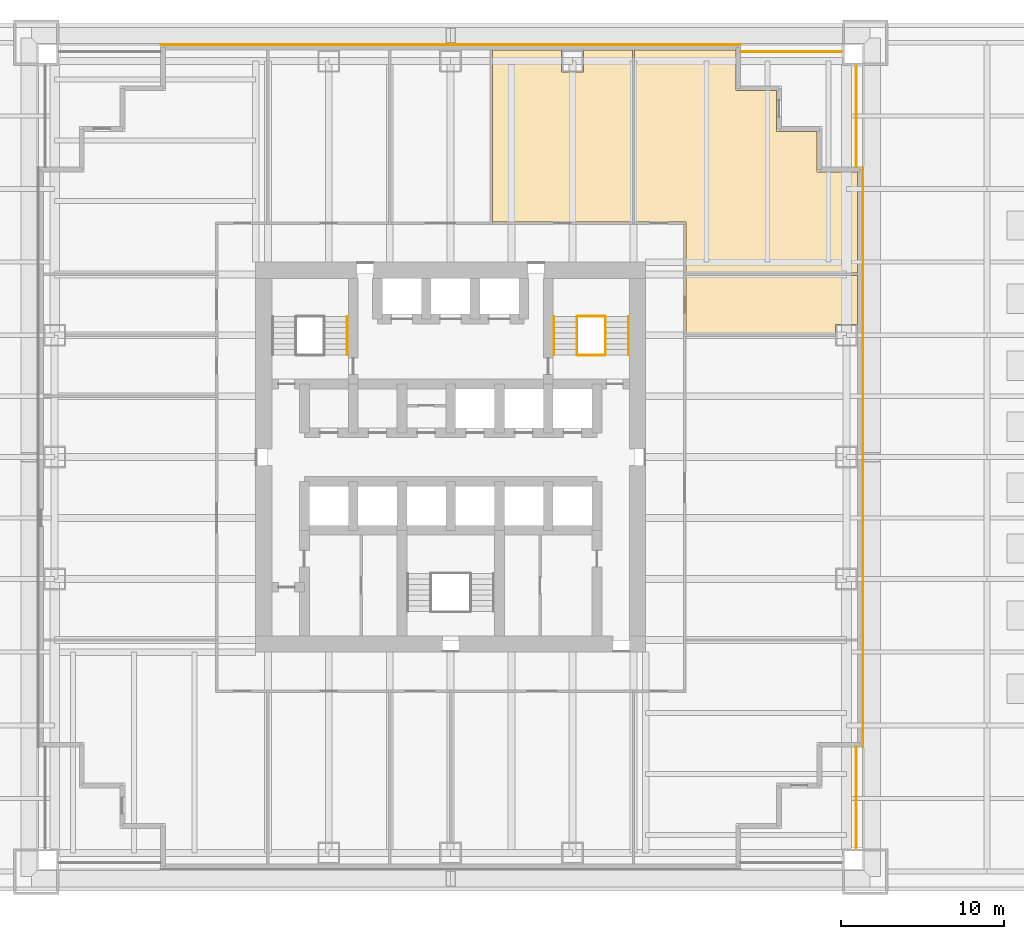
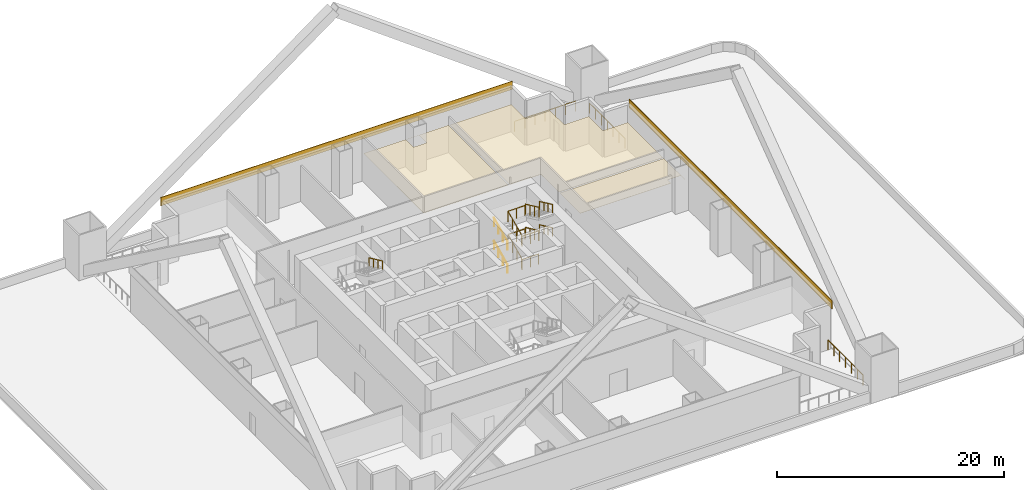
# One storey, part 10 of 10: 16 railings, 5 coverings.
"""IFC4 building model written with IfcOpenShell, lengths in metres."""

from ifc_helpers import new_model, si_unit, direction, frame, origin, origin_2d, place, context, subcontext, project, spatial, polyline, rectangle, circle, outline, extrude, material, layer, layer_set, type_object, element, save


model = new_model("IFC4")

# Units and contexts
model_context = context("Model", 3, precision=1e-05, world=origin(), true_north=direction((0.0, 1.0)))
body_context = subcontext(model_context, "Body", "Model", "MODEL_VIEW")
ifc_project = project(units=[si_unit("LENGTHUNIT", "METRE"), si_unit("AREAUNIT", "SQUARE_METRE"), si_unit("VOLUMEUNIT", "CUBIC_METRE"), si_unit("PLANEANGLEUNIT", "RADIAN"), si_unit("MASSUNIT", "GRAM", prefix="KILO")], contexts=[model_context])

# Site, building, storey
site_placement = place(None, origin())
site = spatial("IfcSite", under=ifc_project, at=site_placement, CompositionType="ELEMENT")
building_placement = place(site_placement, origin())
building = spatial("IfcBuilding", under=site, at=building_placement, Name="Tarangal Relay Tower", CompositionType="ELEMENT")
storey_placement = place(building_placement, frame((0.0, 0.0, 23.39990234375)))
storey = spatial("IfcBuildingStorey", under=building, at=storey_placement, Name="L04", CompositionType="ELEMENT", Elevation=23.39990234375)

# Coverings
ifc_material_1 = material(Name="Black anodised aluminium cladding", Category="aluminium")
ifc_layer_1 = layer(ifc_material_1, 0.050048828125)
ifc_layer_set_1 = layer_set([ifc_layer_1], Name="Black metal spandrel band")
covering_type_1 = type_object("IfcCoveringType", Name="Black metal spandrel band", PredefinedType="CLADDING", material=ifc_layer_set_1)
for number, where, z_axis, x_axis, name in (
    (1, (0.0, 25.375, 4.250244140625), (0.0, 0.0, 1.0), (1.0, 0.0, 0.0), "Spandrel band SB1 N L04"),
    (2, (25.375, 0.0, 4.250244140625), (0.0, 0.0, 1.0), (0.0, -1.0, 0.0), "Spandrel band SB1 E L04"),
):
    element("IfcCovering", number, at=place(storey_placement, frame(where, z_axis=z_axis, x_axis=x_axis)), inside=storey, type_object=covering_type_1, Name=name, PredefinedType="CLADDING", context=body_context, shape_type="SweptSolid", body=[
        extrude(rectangle(XDim=35.699951171875, YDim=0.050048828125, at=origin_2d()), origin(), (0.0, 0.0, 1.0), 0.89990234375),
    ])

# Railings
ifc_material_2 = material(Name="Steel guard, black finish", Category="steel")
railing_type_1 = type_object("IfcRailingType", Name="Stair guard 1100", PredefinedType="GUARDRAIL", material=ifc_material_2)
railing_1_placement = place(storey_placement, frame((7.77001953125, 6.300048828125, 0.15625)))
element("IfcRailing", 3, at=railing_1_placement, inside=storey, type_object=railing_type_1, Name="Stair ST-B guard GR1 L04 flight 1", PredefinedType="GUARDRAIL", context=body_context, shape_type="SweptSolid", body=[
    extrude(circle(Radius=0.02392578125, at=origin_2d()), frame((0.0, 0.0, 1.076171875), z_axis=(0.0, 0.90626748934, 0.422704669676), x_axis=(-1.0, 0.0, 0.0)), (0.0, 0.0, 1.0), 2.58740234375),
    extrude(circle(Radius=0.02099609375, at=origin_2d()), origin(), (0.0, 0.0, 1.0), 1.052001953125),
    extrude(circle(Radius=0.02099609375, at=origin_2d()), frame((0.0, 0.78173828125, 0.364501953125)), (0.0, 0.0, 1.0), 1.052001953125),
    extrude(circle(Radius=0.02099609375, at=origin_2d()), frame((0.0, 1.563232421875, 0.729248046875)), (0.0, 0.0, 1.0), 1.052001953125),
    extrude(circle(Radius=0.02099609375, at=origin_2d()), frame((0.0, 2.344970703125, 1.09375)), (0.0, 0.0, 1.0), 1.052001953125),
])
railing_2_placement = place(storey_placement, frame((9.530029296875, 8.64501953125, 1.40625)))
element("IfcRailing", 4, at=railing_2_placement, inside=storey, type_object=railing_type_1, Name="Stair ST-B guard GR1 L04 flight 2", PredefinedType="GUARDRAIL", context=body_context, shape_type="SweptSolid", body=[
    extrude(circle(Radius=0.02392578125, at=origin_2d()), frame((0.0, 0.0, 1.076171875), z_axis=(0.0, -0.90626748934, 0.422704669676), x_axis=(1.0, 0.0, 0.0)), (0.0, 0.0, 1.0), 2.58740234375),
    extrude(circle(Radius=0.02099609375, at=origin_2d()), origin(), (0.0, 0.0, 1.0), 1.052001953125),
    extrude(circle(Radius=0.02099609375, at=origin_2d()), frame((0.0, -0.78173828125, 0.364501953125)), (0.0, 0.0, 1.0), 1.052001953125),
    extrude(circle(Radius=0.02099609375, at=origin_2d()), frame((0.0, -1.563232421875, 0.729248046875)), (0.0, 0.0, 1.0), 1.052001953125),
    extrude(circle(Radius=0.02099609375, at=origin_2d()), frame((0.0, -2.344970703125, 1.09375)), (0.0, 0.0, 1.0), 1.052001953125),
])
railing_3_placement = place(storey_placement, frame((7.77001953125, 6.300048828125, 2.65625)))
element("IfcRailing", 5, at=railing_3_placement, inside=storey, type_object=railing_type_1, Name="Stair ST-B guard GR1 L04 flight 3", PredefinedType="GUARDRAIL", context=body_context, shape_type="SweptSolid", body=[
    extrude(circle(Radius=0.02392578125, at=origin_2d()), frame((0.0, 0.0, 1.076171875), z_axis=(0.0, 0.90626748934, 0.422704669676), x_axis=(-1.0, 0.0, 0.0)), (0.0, 0.0, 1.0), 2.58740234375),
    extrude(circle(Radius=0.02099609375, at=origin_2d()), origin(), (0.0, 0.0, 1.0), 1.052001953125),
    extrude(circle(Radius=0.02099609375, at=origin_2d()), frame((0.0, 0.78173828125, 0.364501953125)), (0.0, 0.0, 1.0), 1.052001953125),
    extrude(circle(Radius=0.02099609375, at=origin_2d()), frame((0.0, 1.563232421875, 0.729248046875)), (0.0, 0.0, 1.0), 1.052001953125),
    extrude(circle(Radius=0.02099609375, at=origin_2d()), frame((0.0, 2.344970703125, 1.09375)), (0.0, 0.0, 1.0), 1.052001953125),
])
railing_4_placement = place(storey_placement, frame((9.530029296875, 8.64501953125, 3.90625)))
element("IfcRailing", 6, at=railing_4_placement, inside=storey, type_object=railing_type_1, Name="Stair ST-B guard GR1 L04 flight 4", PredefinedType="GUARDRAIL", context=body_context, shape_type="SweptSolid", body=[
    extrude(circle(Radius=0.02392578125, at=origin_2d()), frame((0.0, 0.0, 1.076171875), z_axis=(0.0, -0.90626748934, 0.422704669676), x_axis=(1.0, 0.0, 0.0)), (0.0, 0.0, 1.0), 2.58740234375),
    extrude(circle(Radius=0.02099609375, at=origin_2d()), origin(), (0.0, 0.0, 1.0), 1.052001953125),
    extrude(circle(Radius=0.02099609375, at=origin_2d()), frame((0.0, -0.78173828125, 0.364501953125)), (0.0, 0.0, 1.0), 1.052001953125),
    extrude(circle(Radius=0.02099609375, at=origin_2d()), frame((0.0, -1.563232421875, 0.729248046875)), (0.0, 0.0, 1.0), 1.052001953125),
    extrude(circle(Radius=0.02099609375, at=origin_2d()), frame((0.0, -2.344970703125, 1.09375)), (0.0, 0.0, 1.0), 1.052001953125),
])
for number, where, name in (
    (7, (7.800048828125, 6.27001953125, 0.0), "Stair ST-B landing guard GR1 L04"),
    (8, (7.800048828125, 8.675048828125, 1.25), "Stair ST-B landing guard GR1 L04"),
    (9, (7.800048828125, 6.27001953125, 2.5), "Stair ST-B landing guard GR1 L04"),
    (10, (7.800048828125, 8.675048828125, 3.75), "Stair ST-B landing guard GR1 L04"),
):
    element("IfcRailing", number, at=place(storey_placement, frame(where)), inside=storey, type_object=railing_type_1, Name=name, PredefinedType="GUARDRAIL", context=body_context, shape_type="SweptSolid", body=[
        extrude(circle(Radius=0.02392578125, at=origin_2d()), frame((0.0, 0.0, 1.076171875), z_axis=(1.0, 0.0, 0.0), x_axis=(0.0, 1.0, 0.0)), (0.0, 0.0, 1.0), 1.699951171875),
        extrude(circle(Radius=0.02099609375, at=origin_2d()), origin(), (0.0, 0.0, 1.0), 1.052001953125),
        extrude(circle(Radius=0.02099609375, at=origin_2d()), frame((0.85009765625, 0.0, 0.0)), (0.0, 0.0, 1.0), 1.052001953125),
        extrude(circle(Radius=0.02099609375, at=origin_2d()), frame((1.699951171875, 0.0, 0.0)), (0.0, 0.0, 1.0), 1.052001953125),
    ])
ifc_material_3 = material(Name="Steel handrail, black finish", Category="steel")
railing_type_2 = type_object("IfcRailingType", Name="Stair handrail 900", PredefinedType="HANDRAIL", material=ifc_material_3)
railing_5_placement = place(storey_placement, frame((-6.360107421875, 8.64501953125, 3.90625)))
element("IfcRailing", 11, at=railing_5_placement, inside=storey, type_object=railing_type_2, Name="Stair ST-A handrail HR1 L04 flight 4", PredefinedType="HANDRAIL", context=body_context, shape_type="SweptSolid", body=[
    extrude(circle(Radius=0.02392578125, at=origin_2d()), frame((0.0, 0.0, 0.8759765625), z_axis=(0.0, -0.90626748934, 0.422704669676), x_axis=(1.0, 0.0, 0.0)), (0.0, 0.0, 1.0), 2.58740234375),
    extrude(circle(Radius=0.02099609375, at=origin_2d()), origin(), (0.0, 0.0, 1.0), 0.851806640625),
    extrude(circle(Radius=0.02099609375, at=origin_2d()), frame((0.0, -0.78173828125, 0.364501953125)), (0.0, 0.0, 1.0), 0.851806640625),
    extrude(circle(Radius=0.02099609375, at=origin_2d()), frame((0.0, -1.563232421875, 0.729248046875)), (0.0, 0.0, 1.0), 0.851806640625),
    extrude(circle(Radius=0.02099609375, at=origin_2d()), frame((0.0, -2.344970703125, 1.09375)), (0.0, 0.0, 1.0), 0.851806640625),
])
railing_6_placement = place(storey_placement, frame((6.360107421875, 6.300048828125, 0.15625)))
element("IfcRailing", 12, at=railing_6_placement, inside=storey, type_object=railing_type_2, Name="Stair ST-B handrail HR1 L04 flight 1", PredefinedType="HANDRAIL", context=body_context, shape_type="SweptSolid", body=[
    extrude(circle(Radius=0.02392578125, at=origin_2d()), frame((0.0, 0.0, 0.8759765625), z_axis=(0.0, 0.90626748934, 0.422704669676), x_axis=(-1.0, 0.0, 0.0)), (0.0, 0.0, 1.0), 2.58740234375),
    extrude(circle(Radius=0.02099609375, at=origin_2d()), origin(), (0.0, 0.0, 1.0), 0.851806640625),
    extrude(circle(Radius=0.02099609375, at=origin_2d()), frame((0.0, 0.78173828125, 0.364501953125)), (0.0, 0.0, 1.0), 0.851806640625),
    extrude(circle(Radius=0.02099609375, at=origin_2d()), frame((0.0, 1.563232421875, 0.729248046875)), (0.0, 0.0, 1.0), 0.851806640625),
    extrude(circle(Radius=0.02099609375, at=origin_2d()), frame((0.0, 2.344970703125, 1.09375)), (0.0, 0.0, 1.0), 0.851806640625),
])
railing_7_placement = place(storey_placement, frame((10.93994140625, 8.64501953125, 1.40625)))
element("IfcRailing", 13, at=railing_7_placement, inside=storey, type_object=railing_type_2, Name="Stair ST-B handrail HR1 L04 flight 2", PredefinedType="HANDRAIL", context=body_context, shape_type="SweptSolid", body=[
    extrude(circle(Radius=0.02392578125, at=origin_2d()), frame((0.0, 0.0, 0.8759765625), z_axis=(0.0, -0.90626748934, 0.422704669676), x_axis=(1.0, 0.0, 0.0)), (0.0, 0.0, 1.0), 2.58740234375),
    extrude(circle(Radius=0.02099609375, at=origin_2d()), origin(), (0.0, 0.0, 1.0), 0.851806640625),
    extrude(circle(Radius=0.02099609375, at=origin_2d()), frame((0.0, -0.78173828125, 0.364501953125)), (0.0, 0.0, 1.0), 0.851806640625),
    extrude(circle(Radius=0.02099609375, at=origin_2d()), frame((0.0, -1.563232421875, 0.729248046875)), (0.0, 0.0, 1.0), 0.851806640625),
    extrude(circle(Radius=0.02099609375, at=origin_2d()), frame((0.0, -2.344970703125, 1.09375)), (0.0, 0.0, 1.0), 0.851806640625),
])
railing_8_placement = place(storey_placement, frame((6.360107421875, 6.300048828125, 2.65625)))
element("IfcRailing", 14, at=railing_8_placement, inside=storey, type_object=railing_type_2, Name="Stair ST-B handrail HR1 L04 flight 3", PredefinedType="HANDRAIL", context=body_context, shape_type="SweptSolid", body=[
    extrude(circle(Radius=0.02392578125, at=origin_2d()), frame((0.0, 0.0, 0.8759765625), z_axis=(0.0, 0.90626748934, 0.422704669676), x_axis=(-1.0, 0.0, 0.0)), (0.0, 0.0, 1.0), 2.58740234375),
    extrude(circle(Radius=0.02099609375, at=origin_2d()), origin(), (0.0, 0.0, 1.0), 0.851806640625),
    extrude(circle(Radius=0.02099609375, at=origin_2d()), frame((0.0, 0.78173828125, 0.364501953125)), (0.0, 0.0, 1.0), 0.851806640625),
    extrude(circle(Radius=0.02099609375, at=origin_2d()), frame((0.0, 1.563232421875, 0.729248046875)), (0.0, 0.0, 1.0), 0.851806640625),
    extrude(circle(Radius=0.02099609375, at=origin_2d()), frame((0.0, 2.344970703125, 1.09375)), (0.0, 0.0, 1.0), 0.851806640625),
])
railing_9_placement = place(storey_placement, frame((10.93994140625, 8.64501953125, 3.90625)))
element("IfcRailing", 15, at=railing_9_placement, inside=storey, type_object=railing_type_2, Name="Stair ST-B handrail HR1 L04 flight 4", PredefinedType="HANDRAIL", context=body_context, shape_type="SweptSolid", body=[
    extrude(circle(Radius=0.02392578125, at=origin_2d()), frame((0.0, 0.0, 0.8759765625), z_axis=(0.0, -0.90626748934, 0.422704669676), x_axis=(1.0, 0.0, 0.0)), (0.0, 0.0, 1.0), 2.58740234375),
    extrude(circle(Radius=0.02099609375, at=origin_2d()), origin(), (0.0, 0.0, 1.0), 0.851806640625),
    extrude(circle(Radius=0.02099609375, at=origin_2d()), frame((0.0, -0.78173828125, 0.364501953125)), (0.0, 0.0, 1.0), 0.851806640625),
    extrude(circle(Radius=0.02099609375, at=origin_2d()), frame((0.0, -1.563232421875, 0.729248046875)), (0.0, 0.0, 1.0), 0.851806640625),
    extrude(circle(Radius=0.02099609375, at=origin_2d()), frame((0.0, -2.344970703125, 1.09375)), (0.0, 0.0, 1.0), 0.851806640625),
])

# Coverings
ifc_material_4 = material(Name="Mineral fibre ceiling tiles", Category="gypsum")
ifc_layer_2 = layer(ifc_material_4, 0.02001953125)
ifc_layer_set_2 = layer_set([ifc_layer_2], Name="Suspended ceiling")
covering_type_2 = type_object("IfcCoveringType", Name="Suspended ceiling", PredefinedType="CEILING", material=ifc_layer_set_2)
covering_1_placement = place(storey_placement, frame((0.0, 0.0, 2.900146484375)))
element("IfcCovering", 16, at=covering_1_placement, inside=storey, type_object=covering_type_2, Name="Suspended ceiling CL1 L04-04", PredefinedType="CEILING", context=body_context, shape_type="SweptSolid", body=[
    extrude(outline(polyline([(11.175048828125, 25.050048828125), (2.574951171875, 25.050048828125), (2.574951171875, 14.47509765625), (11.175048828125, 14.47509765625), (11.175048828125, 25.050048828125)]), holes=[polyline([(8.175048828125, 25.0400390625), (6.824951171875, 25.0400390625), (6.824951171875, 23.68994140625), (8.175048828125, 23.68994140625), (8.175048828125, 25.0400390625)])]), origin(), (0.0, 0.0, 1.0), 0.02001953125),
])
covering_2_placement = place(storey_placement, frame((0.0, 0.0, 2.900146484375)))
element("IfcCovering", 17, at=covering_2_placement, inside=storey, type_object=covering_type_2, Name="Suspended ceiling CL1 L04-05", PredefinedType="CEILING", context=body_context, shape_type="SweptSolid", body=[
    extrude(outline(polyline([(25.050048828125, 7.5), (25.050048828125, 11.175048828125), (14.47509765625, 11.175048828125), (14.47509765625, 7.574951171875), (23.68994140625, 7.574951171875), (23.68994140625, 8.175048828125), (25.0400390625, 8.175048828125), (25.0400390625, 7.5), (25.050048828125, 7.5)])), origin(), (0.0, 0.0, 1.0), 0.02001953125),
])
covering_3_placement = place(storey_placement, frame((0.0, 0.0, 2.900146484375)))
element("IfcCovering", 18, at=covering_3_placement, inside=storey, type_object=covering_type_2, Name="Suspended ceiling CL1 L04-13", PredefinedType="CEILING", context=body_context, shape_type="SweptSolid", body=[
    extrude(outline(polyline([(17.550048828125, 25.050048828125), (11.324951171875, 25.050048828125), (11.324951171875, 14.47509765625), (14.47509765625, 14.47509765625), (14.47509765625, 11.324951171875), (25.050048828125, 11.324951171875), (25.050048828125, 17.550048828125), (22.550048828125, 17.550048828125), (22.550048828125, 20.050048828125), (20.050048828125, 20.050048828125), (20.050048828125, 22.550048828125), (17.550048828125, 22.550048828125), (17.550048828125, 25.050048828125)])), origin(), (0.0, 0.0, 1.0), 0.02001953125),
])

# Railings
ifc_material_5 = material(Name="Black steel guard with glass infill", Category="steel")
railing_type_3 = type_object("IfcRailingType", Name="Terrace guard 1100", PredefinedType="GUARDRAIL", material=ifc_material_5)
railing_10_placement = place(storey_placement, frame((17.85009765625, 24.949951171875, 0.0)))
element("IfcRailing", 19, at=railing_10_placement, inside=storey, type_object=railing_type_3, Name="Terrace guard GR2 NE L04", PredefinedType="GUARDRAIL", context=body_context, shape_type="SweptSolid", body=[
    extrude(circle(Radius=0.02392578125, at=origin_2d()), frame((0.0, 0.0, 1.076171875), z_axis=(1.0, 0.0, 0.0), x_axis=(0.0, 1.0, 0.0)), (0.0, 0.0, 1.0), 6.199951171875),
    extrude(circle(Radius=0.02099609375, at=origin_2d()), origin(), (0.0, 0.0, 1.0), 1.052001953125),
    extrude(circle(Radius=0.02099609375, at=origin_2d()), frame((1.033203125, 0.0, 0.0)), (0.0, 0.0, 1.0), 1.052001953125),
    extrude(circle(Radius=0.02099609375, at=origin_2d()), frame((2.066650390625, 0.0, 0.0)), (0.0, 0.0, 1.0), 1.052001953125),
    extrude(circle(Radius=0.02099609375, at=origin_2d()), frame((3.10009765625, 0.0, 0.0)), (0.0, 0.0, 1.0), 1.052001953125),
    extrude(circle(Radius=0.02099609375, at=origin_2d()), frame((4.13330078125, 0.0, 0.0)), (0.0, 0.0, 1.0), 1.052001953125),
    extrude(circle(Radius=0.02099609375, at=origin_2d()), frame((5.16650390625, 0.0, 0.0)), (0.0, 0.0, 1.0), 1.052001953125),
    extrude(circle(Radius=0.02099609375, at=origin_2d()), frame((6.199951171875, 0.0, 0.0)), (0.0, 0.0, 1.0), 1.052001953125),
])
for number, where, name in (
    (20, (24.949951171875, 24.050048828125, 0.0), "Terrace guard GR2 NE L04"),
    (21, (24.949951171875, -17.85009765625, 0.0), "Terrace guard GR2 SE L04"),
):
    element("IfcRailing", number, at=place(storey_placement, frame(where)), inside=storey, type_object=railing_type_3, Name=name, PredefinedType="GUARDRAIL", context=body_context, shape_type="SweptSolid", body=[
        extrude(circle(Radius=0.02392578125, at=origin_2d()), frame((0.0, 0.0, 1.076171875), z_axis=(0.0, -1.0, 0.0), x_axis=(1.0, 0.0, 0.0)), (0.0, 0.0, 1.0), 6.199951171875),
        extrude(circle(Radius=0.02099609375, at=origin_2d()), origin(), (0.0, 0.0, 1.0), 1.052001953125),
        extrude(circle(Radius=0.02099609375, at=origin_2d()), frame((0.0, -1.033203125, 0.0)), (0.0, 0.0, 1.0), 1.052001953125),
        extrude(circle(Radius=0.02099609375, at=origin_2d()), frame((0.0, -2.066650390625, 0.0)), (0.0, 0.0, 1.0), 1.052001953125),
        extrude(circle(Radius=0.02099609375, at=origin_2d()), frame((0.0, -3.10009765625, 0.0)), (0.0, 0.0, 1.0), 1.052001953125),
        extrude(circle(Radius=0.02099609375, at=origin_2d()), frame((0.0, -4.13330078125, 0.0)), (0.0, 0.0, 1.0), 1.052001953125),
        extrude(circle(Radius=0.02099609375, at=origin_2d()), frame((0.0, -5.16650390625, 0.0)), (0.0, 0.0, 1.0), 1.052001953125),
        extrude(circle(Radius=0.02099609375, at=origin_2d()), frame((0.0, -6.199951171875, 0.0)), (0.0, 0.0, 1.0), 1.052001953125),
    ])

save(model, "model.ifc")
